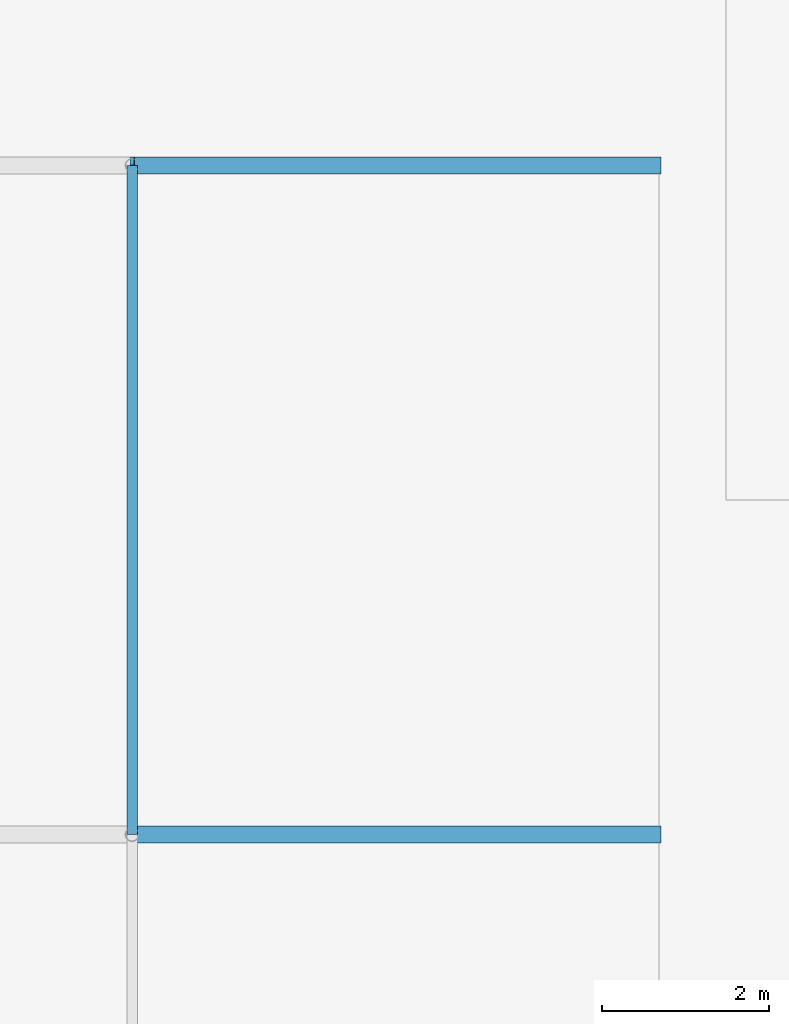
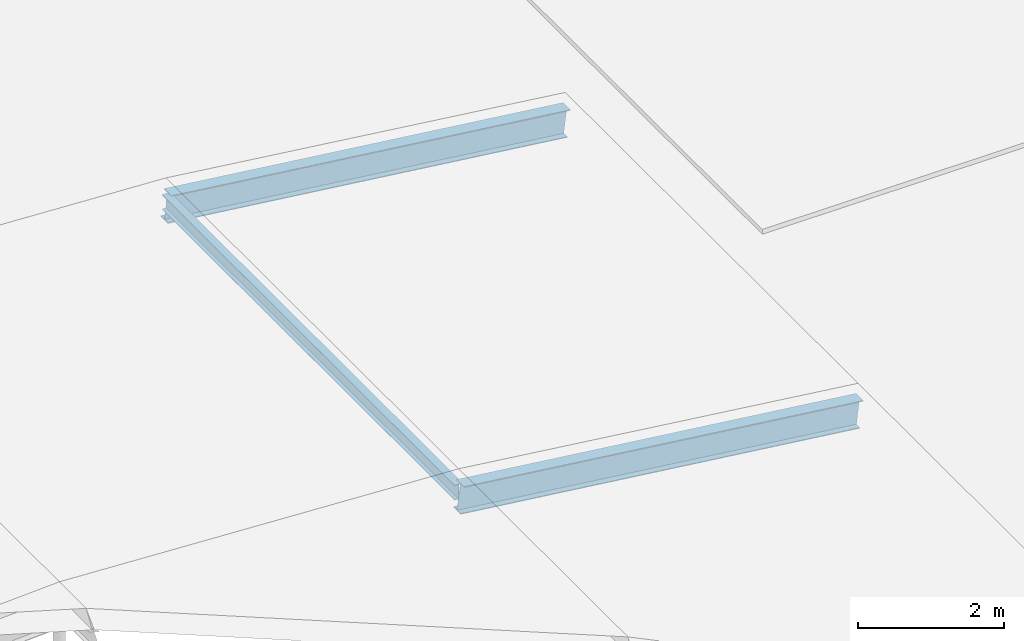
# One storey, part 31 of 76: 3 members.
"""IFC4 building model written with IfcOpenShell, lengths in metres."""

import ifcopenshell
import ifcopenshell.guid

model = None  # the IFC model being written
_history = None  # IfcOwnerHistory: only IFC2X3 demands one
_inside = {}  # id of a spatial element -> (the spatial element, [elements in it])
_under = {}  # id of a project, library or spatial element -> (it, [spatial elements below it])
_declared = {}  # id of a project -> (the project, [libraries it declares])
_typed = {}  # id of a type object -> (the type object, [elements of that type])
_made_of = {}  # id of a material, layer set ... -> (it, [elements and type objects made of it])


def new_model(schema):
    """Start an empty IFC model of exactly this schema.

    Asked for "IFC4X3", IfcOpenShell would pick the latest addendum, in which some entities
    have other attributes; the version numbers below select the first issue.
    IFC2X3 requires an IfcOwnerHistory on every rooted entity: one is made here for all.
    """
    global model, _history
    if schema == "IFC4X3":
        model = ifcopenshell.file(schema_version=(4, 3, 0, 0))
    else:
        model = ifcopenshell.file(schema=schema)
    _inside.clear()
    _under.clear()
    _declared.clear()
    _typed.clear()
    _made_of.clear()
    _history = None
    if model.schema == "IFC2X3":
        org = make("IfcOrganization", Name="unknown")
        user = make(
            "IfcPersonAndOrganization",
            ThePerson=make("IfcPerson", FamilyName="unknown"),
            TheOrganization=org,
        )
        app = make(
            "IfcApplication",
            ApplicationDeveloper=org,
            Version="unknown",
            ApplicationFullName="unknown",
            ApplicationIdentifier="unknown",
        )
        _history = make(
            "IfcOwnerHistory",
            OwningUser=user,
            OwningApplication=app,
            ChangeAction="ADDED",
            CreationDate=0,
        )
    return model


def make(cls, **values):
    """One entity of the class cls with the attributes given. An attribute that is None is left unset."""
    return model.create_entity(
        cls, **{name: value for name, value in values.items() if value is not None}
    )


def rooted(cls, **values):
    """An entity with a GlobalId (a new one), such as an element, a storey or a relation."""
    return make(cls, GlobalId=ifcopenshell.guid.new(), OwnerHistory=_history, **values)


def si_unit(unit_type, name, prefix=None):
    """IfcSIUnit, for example si_unit("LENGTHUNIT", "METRE", prefix="MILLI")."""
    return make("IfcSIUnit", UnitType=unit_type, Prefix=prefix, Name=name)


def assignment(units):
    """IfcUnitAssignment: the units of a project."""
    return None if units is None else make("IfcUnitAssignment", Units=units)


def point(xyz):
    """IfcCartesianPoint."""
    return None if xyz is None else make("IfcCartesianPoint", Coordinates=xyz)


def direction(xyz):
    """IfcDirection."""
    return None if xyz is None else make("IfcDirection", DirectionRatios=xyz)


def frame(location, z_axis=None, x_axis=None):
    """IfcAxis2Placement3D, a coordinate frame: its origin and axes. An axis left out is left unset."""
    return make(
        "IfcAxis2Placement3D",
        Location=point(location),
        Axis=direction(z_axis),
        RefDirection=direction(x_axis),
    )


def frame_2d(location, x_axis=None):
    """IfcAxis2Placement2D, a coordinate frame in the plane: its origin and x axis."""
    return make(
        "IfcAxis2Placement2D", Location=point(location), RefDirection=direction(x_axis)
    )


def origin():
    """The frame at (0, 0, 0) with its axes left unset."""
    return frame((0.0, 0.0, 0.0))


def origin_2d():
    """The frame at (0, 0) in the plane with its x axis left unset."""
    return frame_2d((0.0, 0.0))


def place(relative_to, where):
    """IfcLocalPlacement: puts the frame where relative to a parent placement (None: the world)."""
    return make(
        "IfcLocalPlacement", PlacementRelTo=relative_to, RelativePlacement=where
    )


def context(
    kind, dimensions, precision=None, world=None, true_north=None, identifier=None
):
    """IfcGeometricRepresentationContext, for example the 3D "Model" context."""
    return make(
        "IfcGeometricRepresentationContext",
        ContextIdentifier=identifier,
        ContextType=kind,
        CoordinateSpaceDimension=dimensions,
        Precision=precision,
        WorldCoordinateSystem=world,
        TrueNorth=true_north,
    )


def subcontext(parent, identifier, kind, view, scale=None):
    """IfcGeometricRepresentationSubContext, for example "Body" below "Model"."""
    return make(
        "IfcGeometricRepresentationSubContext",
        ContextIdentifier=identifier,
        ContextType=kind,
        ParentContext=parent,
        TargetScale=scale,
        TargetView=view,
    )


def project(units=None, contexts=None):
    """IfcProject with its units and contexts."""
    return rooted(
        "IfcProject",
        Name="project",
        RepresentationContexts=contexts,
        UnitsInContext=assignment(units),
    )


def spatial(cls, under=None, at=None, **own):
    """A site, building, storey or space (cls), placed at a placement, below another one or the project."""
    s = rooted(cls, ObjectPlacement=at, **own)
    if under is not None:
        _under.setdefault(under.id(), (under, []))[1].append(s)
    return s


def profile(cls, at=None, kind="AREA", **sizes):
    """A parametric profile (cls). Its sizes go by their IFC names, for example OverallWidth=200.0."""
    return make(cls, ProfileType=kind, Position=at, **sizes)


def i_section(**sizes):
    """IfcIShapeProfileDef."""
    return profile("IfcIShapeProfileDef", **sizes)


def extrude(swept, where, along, depth):
    """IfcExtrudedAreaSolid: the profile swept, set in the frame where, extruded along a direction by depth."""
    return make(
        "IfcExtrudedAreaSolid",
        SweptArea=swept,
        Position=where,
        ExtrudedDirection=direction(along),
        Depth=depth,
    )


def shape(context_of_items, identifier, shape_type, items):
    """IfcShapeRepresentation: the items that make up one representation, for example the "Body"."""
    return make(
        "IfcShapeRepresentation",
        ContextOfItems=context_of_items,
        RepresentationIdentifier=identifier,
        RepresentationType=shape_type,
        Items=items,
    )


def material(Name=None, Category=None):
    """IfcMaterial."""
    return make("IfcMaterial", Name=Name, Category=Category)


def material_profile(
    of_material, cross_section, Name=None, Category=None, Priority=None
):
    """IfcMaterialProfile: a cross section and its material."""
    return make(
        "IfcMaterialProfile",
        Name=Name,
        Material=of_material,
        Profile=cross_section,
        Priority=Priority,
        Category=Category,
    )


def profile_set(profiles, Name=None, composite=None):
    """IfcMaterialProfileSet."""
    return make(
        "IfcMaterialProfileSet",
        Name=Name,
        MaterialProfiles=profiles,
        CompositeProfile=composite,
    )


def made_of(thing, what):
    """Note that an element or type object is made of a material, layer set ...; save() writes the relation."""
    if what is not None:
        _made_of.setdefault(what.id(), (what, []))[1].append(thing)
    return thing


def type_object(cls, material=None, **own):
    """A type object (cls), such as IfcWallType, which elements share."""
    return made_of(rooted(cls, **own), material)


def element(
    cls,
    number,
    at=None,
    inside=None,
    cuts=None,
    type_object=None,
    material=None,
    context=None,
    identifier="Body",
    shape_type=None,
    held_by="IfcProductDefinitionShape",
    body=None,
    shapes=None,
    **own,
):
    """One element of the class cls, such as IfcWall. Its Tag is "e" and its number.

    at: its placement. inside: the storey or other place that contains it. cuts: it is an
    opening in that element (IfcRelVoidsElement). A single representation is given by context,
    identifier, shape_type and body (its items); several are given by shapes. held_by: the class
    of the entity that holds the representations. save() writes the other relations.
    """
    e = rooted(cls, Tag="e%d" % number, ObjectPlacement=at, **own)
    if body is not None:
        shapes = [shape(context, identifier, shape_type, body)]
    if shapes is not None:
        e.Representation = make(held_by, Representations=shapes)
    if inside is not None:
        _inside.setdefault(inside.id(), (inside, []))[1].append(e)
    if cuts is not None:
        rooted(
            "IfcRelVoidsElement", RelatingBuildingElement=cuts, RelatedOpeningElement=e
        )
    if type_object is not None:
        _typed.setdefault(type_object.id(), (type_object, []))[1].append(e)
    return made_of(e, material)


def aggregate(whole, parts):
    """IfcRelAggregates: a whole, such as a stair, and the parts it consists of."""
    return rooted("IfcRelAggregates", RelatingObject=whole, RelatedObjects=parts)


def save(model, path):
    """Write the relations noted so far, then the file.

    IfcRelAggregates (storeys below a building ...), IfcRelContainedInSpatialStructure (elements
    in a storey), IfcRelDefinesByType, IfcRelAssociatesMaterial and IfcRelDeclares: one each for
    every whole, place, type object, material and project.
    """
    for whole, parts in _under.values():
        aggregate(whole, parts)
    for where, things in _inside.values():
        rooted(
            "IfcRelContainedInSpatialStructure",
            RelatedElements=things,
            RelatingStructure=where,
        )
    for kind, things in _typed.values():
        rooted("IfcRelDefinesByType", RelatedObjects=things, RelatingType=kind)
    for what, things in _made_of.values():
        rooted("IfcRelAssociatesMaterial", RelatedObjects=things, RelatingMaterial=what)
    for by, libraries in _declared.values():
        rooted("IfcRelDeclares", RelatingContext=by, RelatedDefinitions=libraries)
    model.write(path)


model = new_model("IFC4")

# Units and contexts
model_context = context("Model", 3, precision=1e-05, world=origin(), true_north=direction((0.0, 1.0)))
body_context = subcontext(model_context, "Body", "Model", "MODEL_VIEW")
ifc_project = project(units=[si_unit("LENGTHUNIT", "METRE"), si_unit("AREAUNIT", "SQUARE_METRE"), si_unit("VOLUMEUNIT", "CUBIC_METRE"), si_unit("PLANEANGLEUNIT", "RADIAN"), si_unit("MASSUNIT", "GRAM", prefix="KILO")], contexts=[model_context])

# Site, building, storey
site_placement = place(None, origin())
site = spatial("IfcSite", under=ifc_project, at=site_placement, CompositionType="ELEMENT")
building_placement = place(site_placement, origin())
building = spatial("IfcBuilding", under=site, at=building_placement, Name="Naruveol Harbour Congress Hotel", CompositionType="ELEMENT")
storey_placement = place(building_placement, frame((0.0, 0.0, 11.39990234375)))
storey = spatial("IfcBuildingStorey", under=building, at=storey_placement, Name="L02", CompositionType="ELEMENT", Elevation=11.39990234375)

# Members
ifc_material_1 = material(Name="Steel SN490", Category="steel")
ifc_material_profile_1 = material_profile(ifc_material_1, i_section(OverallWidth=0.199951171875, OverallDepth=0.449951171875, WebThickness=0.009033203125, FlangeThickness=0.013916015625, at=origin_2d()), Name="H-450x200x9x14")
ifc_profile_set_1 = profile_set([ifc_material_profile_1], Name="Steel SN490")
member_type_1 = type_object("IfcMemberType", Name="STEEL BUTTERFLY CROWN RAFTER H450", PredefinedType="RAFTER", material=ifc_profile_set_1)
for number, where, z_axis, x_axis, name in (
    (1, (18.89990234375, 96.0, 0.530029296875), (0.992613260551, 0.0, -0.121321535508), (0.0, 1.0, 0.0), "Spa vault arch rib #4.4"),
    (2, (18.89990234375, 104.0, 0.530029296875), (0.992613260551, 0.0, -0.121321535508), (0.0, 1.0, 0.0), "Spa vault arch rib #5.4"),
):
    element("IfcMember", number, at=place(storey_placement, frame(where, z_axis=z_axis, x_axis=x_axis)), inside=storey, type_object=member_type_1, Name=name, PredefinedType="RAFTER", context=body_context, shape_type="SweptSolid", body=[
        extrude(i_section(OverallWidth=0.199951171875, OverallDepth=0.449951171875, WebThickness=0.009033203125, FlangeThickness=0.013916015625, at=origin_2d()), origin(), (0.0, 0.0, 1.0), 6.346923828125),
    ])
ifc_material_2 = material(Name="Steel SN490", Category="steel")
ifc_material_profile_2 = material_profile(ifc_material_2, i_section(OverallWidth=0.125, OverallDepth=0.25, WebThickness=0.006103515625, FlangeThickness=0.009033203125, at=origin_2d()), Name="H-250x125x6x9")
ifc_profile_set_2 = profile_set([ifc_material_profile_2], Name="Steel SN490")
member_type_2 = type_object("IfcMemberType", Name="STEEL ROOF PURLIN MEMBER H250", PredefinedType="PURLIN", material=ifc_profile_set_2)
member_placement = place(storey_placement, frame((18.89990234375, 96.0, 0.6201171875), z_axis=(0.0, 1.0, 0.0), x_axis=(-1.0, 0.0, 0.0)))
element("IfcMember", 3, at=member_placement, inside=storey, type_object=member_type_2, Name="Spa barrel vault purlin X=18.9", PredefinedType="PURLIN", context=body_context, shape_type="SweptSolid", body=[
    extrude(i_section(OverallWidth=0.125, OverallDepth=0.25, WebThickness=0.006103515625, FlangeThickness=0.009033203125, at=origin_2d()), origin(), (0.0, 0.0, 1.0), 8.0),
])

save(model, "model.ifc")
